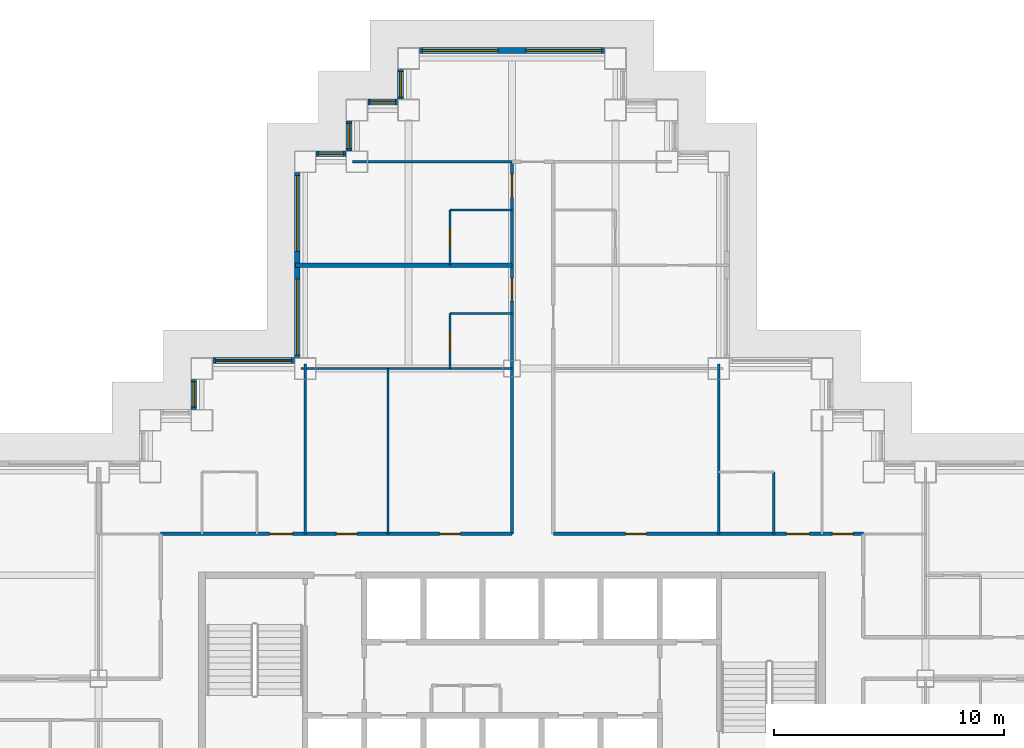
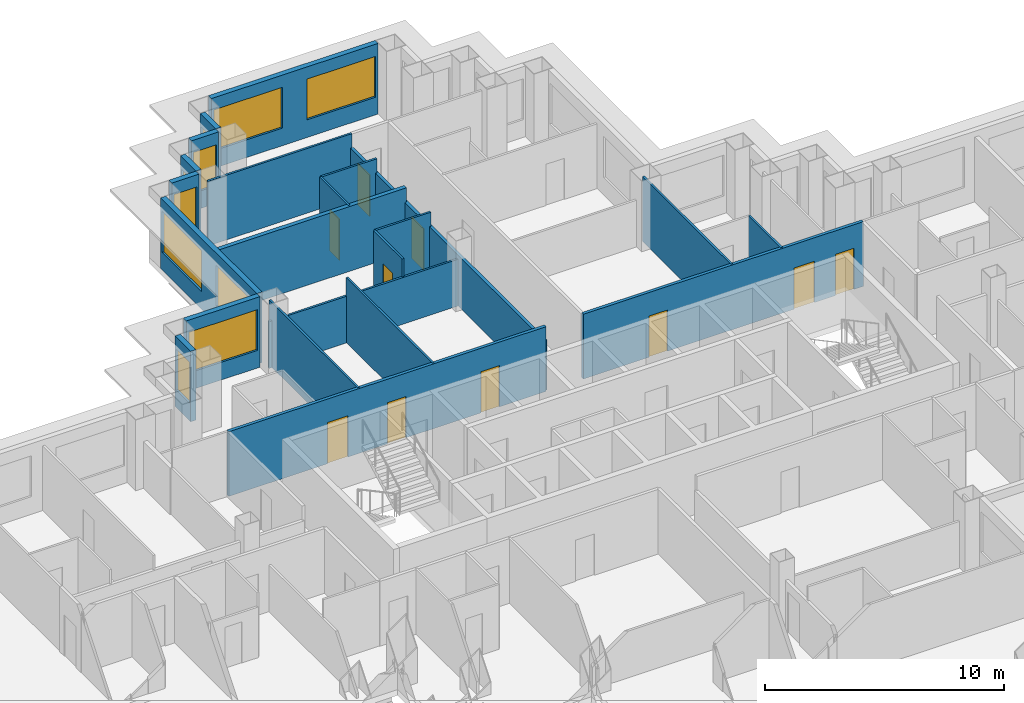
# One storey, part 8 of 15: 22 walls, 10 doors, 10 windows, 20 openings.
"""IFC4 building model written with IfcOpenShell, lengths in metres."""

import ifcopenshell
import ifcopenshell.guid

model = None  # the IFC model being written
_history = None  # IfcOwnerHistory: only IFC2X3 demands one
_inside = {}  # id of a spatial element -> (the spatial element, [elements in it])
_under = {}  # id of a project, library or spatial element -> (it, [spatial elements below it])
_declared = {}  # id of a project -> (the project, [libraries it declares])
_typed = {}  # id of a type object -> (the type object, [elements of that type])
_made_of = {}  # id of a material, layer set ... -> (it, [elements and type objects made of it])


def new_model(schema):
    """Start an empty IFC model of exactly this schema.

    Asked for "IFC4X3", IfcOpenShell would pick the latest addendum, in which some entities
    have other attributes; the version numbers below select the first issue.
    IFC2X3 requires an IfcOwnerHistory on every rooted entity: one is made here for all.
    """
    global model, _history
    if schema == "IFC4X3":
        model = ifcopenshell.file(schema_version=(4, 3, 0, 0))
    else:
        model = ifcopenshell.file(schema=schema)
    _inside.clear()
    _under.clear()
    _declared.clear()
    _typed.clear()
    _made_of.clear()
    _history = None
    if model.schema == "IFC2X3":
        org = make("IfcOrganization", Name="unknown")
        user = make(
            "IfcPersonAndOrganization",
            ThePerson=make("IfcPerson", FamilyName="unknown"),
            TheOrganization=org,
        )
        app = make(
            "IfcApplication",
            ApplicationDeveloper=org,
            Version="unknown",
            ApplicationFullName="unknown",
            ApplicationIdentifier="unknown",
        )
        _history = make(
            "IfcOwnerHistory",
            OwningUser=user,
            OwningApplication=app,
            ChangeAction="ADDED",
            CreationDate=0,
        )
    return model


def make(cls, **values):
    """One entity of the class cls with the attributes given. An attribute that is None is left unset."""
    return model.create_entity(
        cls, **{name: value for name, value in values.items() if value is not None}
    )


def rooted(cls, **values):
    """An entity with a GlobalId (a new one), such as an element, a storey or a relation."""
    return make(cls, GlobalId=ifcopenshell.guid.new(), OwnerHistory=_history, **values)


def si_unit(unit_type, name, prefix=None):
    """IfcSIUnit, for example si_unit("LENGTHUNIT", "METRE", prefix="MILLI")."""
    return make("IfcSIUnit", UnitType=unit_type, Prefix=prefix, Name=name)


def assignment(units):
    """IfcUnitAssignment: the units of a project."""
    return None if units is None else make("IfcUnitAssignment", Units=units)


def point(xyz):
    """IfcCartesianPoint."""
    return None if xyz is None else make("IfcCartesianPoint", Coordinates=xyz)


def direction(xyz):
    """IfcDirection."""
    return None if xyz is None else make("IfcDirection", DirectionRatios=xyz)


def frame(location, z_axis=None, x_axis=None):
    """IfcAxis2Placement3D, a coordinate frame: its origin and axes. An axis left out is left unset."""
    return make(
        "IfcAxis2Placement3D",
        Location=point(location),
        Axis=direction(z_axis),
        RefDirection=direction(x_axis),
    )


def frame_2d(location, x_axis=None):
    """IfcAxis2Placement2D, a coordinate frame in the plane: its origin and x axis."""
    return make(
        "IfcAxis2Placement2D", Location=point(location), RefDirection=direction(x_axis)
    )


def origin():
    """The frame at (0, 0, 0) with its axes left unset."""
    return frame((0.0, 0.0, 0.0))


def place(relative_to, where):
    """IfcLocalPlacement: puts the frame where relative to a parent placement (None: the world)."""
    return make(
        "IfcLocalPlacement", PlacementRelTo=relative_to, RelativePlacement=where
    )


def context(
    kind, dimensions, precision=None, world=None, true_north=None, identifier=None
):
    """IfcGeometricRepresentationContext, for example the 3D "Model" context."""
    return make(
        "IfcGeometricRepresentationContext",
        ContextIdentifier=identifier,
        ContextType=kind,
        CoordinateSpaceDimension=dimensions,
        Precision=precision,
        WorldCoordinateSystem=world,
        TrueNorth=true_north,
    )


def subcontext(parent, identifier, kind, view, scale=None):
    """IfcGeometricRepresentationSubContext, for example "Body" below "Model"."""
    return make(
        "IfcGeometricRepresentationSubContext",
        ContextIdentifier=identifier,
        ContextType=kind,
        ParentContext=parent,
        TargetScale=scale,
        TargetView=view,
    )


def project(units=None, contexts=None):
    """IfcProject with its units and contexts."""
    return rooted(
        "IfcProject",
        Name="project",
        RepresentationContexts=contexts,
        UnitsInContext=assignment(units),
    )


def spatial(cls, under=None, at=None, **own):
    """A site, building, storey or space (cls), placed at a placement, below another one or the project."""
    s = rooted(cls, ObjectPlacement=at, **own)
    if under is not None:
        _under.setdefault(under.id(), (under, []))[1].append(s)
    return s


def profile(cls, at=None, kind="AREA", **sizes):
    """A parametric profile (cls). Its sizes go by their IFC names, for example OverallWidth=200.0."""
    return make(cls, ProfileType=kind, Position=at, **sizes)


def rectangle(**sizes):
    """IfcRectangleProfileDef."""
    return profile("IfcRectangleProfileDef", **sizes)


def extrude(swept, where, along, depth):
    """IfcExtrudedAreaSolid: the profile swept, set in the frame where, extruded along a direction by depth."""
    return make(
        "IfcExtrudedAreaSolid",
        SweptArea=swept,
        Position=where,
        ExtrudedDirection=direction(along),
        Depth=depth,
    )


def shape(context_of_items, identifier, shape_type, items):
    """IfcShapeRepresentation: the items that make up one representation, for example the "Body"."""
    return make(
        "IfcShapeRepresentation",
        ContextOfItems=context_of_items,
        RepresentationIdentifier=identifier,
        RepresentationType=shape_type,
        Items=items,
    )


def material(Name=None, Category=None):
    """IfcMaterial."""
    return make("IfcMaterial", Name=Name, Category=Category)


def layer(
    of_material, thickness, ventilated=None, Name=None, Category=None, Priority=None
):
    """IfcMaterialLayer: one layer of a wall or slab, of a material (None: an air gap)."""
    return make(
        "IfcMaterialLayer",
        Material=of_material,
        LayerThickness=thickness,
        IsVentilated=ventilated,
        Name=Name,
        Category=Category,
        Priority=Priority,
    )


def layer_set(layers, Name=None):
    """IfcMaterialLayerSet."""
    return make("IfcMaterialLayerSet", MaterialLayers=layers, LayerSetName=Name)


def made_of(thing, what):
    """Note that an element or type object is made of a material, layer set ...; save() writes the relation."""
    if what is not None:
        _made_of.setdefault(what.id(), (what, []))[1].append(thing)
    return thing


def type_object(cls, material=None, **own):
    """A type object (cls), such as IfcWallType, which elements share."""
    return made_of(rooted(cls, **own), material)


def element(
    cls,
    number,
    at=None,
    inside=None,
    cuts=None,
    type_object=None,
    material=None,
    context=None,
    identifier="Body",
    shape_type=None,
    held_by="IfcProductDefinitionShape",
    body=None,
    shapes=None,
    **own,
):
    """One element of the class cls, such as IfcWall. Its Tag is "e" and its number.

    at: its placement. inside: the storey or other place that contains it. cuts: it is an
    opening in that element (IfcRelVoidsElement). A single representation is given by context,
    identifier, shape_type and body (its items); several are given by shapes. held_by: the class
    of the entity that holds the representations. save() writes the other relations.
    """
    e = rooted(cls, Tag="e%d" % number, ObjectPlacement=at, **own)
    if body is not None:
        shapes = [shape(context, identifier, shape_type, body)]
    if shapes is not None:
        e.Representation = make(held_by, Representations=shapes)
    if inside is not None:
        _inside.setdefault(inside.id(), (inside, []))[1].append(e)
    if cuts is not None:
        rooted(
            "IfcRelVoidsElement", RelatingBuildingElement=cuts, RelatedOpeningElement=e
        )
    if type_object is not None:
        _typed.setdefault(type_object.id(), (type_object, []))[1].append(e)
    return made_of(e, material)


def fill(opening, filler):
    """IfcRelFillsElement: the door or window that sits in an opening."""
    return rooted(
        "IfcRelFillsElement",
        RelatingOpeningElement=opening,
        RelatedBuildingElement=filler,
    )


def aggregate(whole, parts):
    """IfcRelAggregates: a whole, such as a stair, and the parts it consists of."""
    return rooted("IfcRelAggregates", RelatingObject=whole, RelatedObjects=parts)


def save(model, path):
    """Write the relations noted so far, then the file.

    IfcRelAggregates (storeys below a building ...), IfcRelContainedInSpatialStructure (elements
    in a storey), IfcRelDefinesByType, IfcRelAssociatesMaterial and IfcRelDeclares: one each for
    every whole, place, type object, material and project.
    """
    for whole, parts in _under.values():
        aggregate(whole, parts)
    for where, things in _inside.values():
        rooted(
            "IfcRelContainedInSpatialStructure",
            RelatedElements=things,
            RelatingStructure=where,
        )
    for kind, things in _typed.values():
        rooted("IfcRelDefinesByType", RelatedObjects=things, RelatingType=kind)
    for what, things in _made_of.values():
        rooted("IfcRelAssociatesMaterial", RelatedObjects=things, RelatingMaterial=what)
    for by, libraries in _declared.values():
        rooted("IfcRelDeclares", RelatingContext=by, RelatedDefinitions=libraries)
    model.write(path)


model = new_model("IFC4")

# Units and contexts
model_context = context("Model", 3, precision=1e-05, world=origin(), true_north=direction((0.0, 1.0)))
body_context = subcontext(model_context, "Body", "Model", "MODEL_VIEW")
ifc_project = project(units=[si_unit("LENGTHUNIT", "METRE"), si_unit("AREAUNIT", "SQUARE_METRE"), si_unit("VOLUMEUNIT", "CUBIC_METRE"), si_unit("PLANEANGLEUNIT", "RADIAN"), si_unit("MASSUNIT", "GRAM", prefix="KILO")], contexts=[model_context])

# Site, building, storey
site_placement = place(None, origin())
site = spatial("IfcSite", under=ifc_project, at=site_placement, CompositionType="ELEMENT")
building_placement = place(site_placement, origin())
building = spatial("IfcBuilding", under=site, at=building_placement, Name="Caravel Reach Hotel and Residences", CompositionType="ELEMENT")
storey_placement = place(building_placement, frame((0.0, 0.0, 78.0)))
storey = spatial("IfcBuildingStorey", under=building, at=storey_placement, Name="L18", CompositionType="ELEMENT", Elevation=78.0)

# Walls
ifc_material_1 = material(Name="Gypsum board on steel stud", Category="steel")
ifc_layer_1 = layer(ifc_material_1, 0.10009765625)
ifc_layer_set_1 = layer_set([ifc_layer_1], Name="Bathroom pod wall 100 mm")
wall_type_1 = type_object("IfcWallType", Name="Bathroom pod wall 100 mm", PredefinedType="PARTITIONING", material=ifc_layer_set_1)
for number, where, z_axis, x_axis, name in (
    (1, (28.800048828125, 42.89990234375, 0.0), (0.0, 0.0, 1.0), (1.0, 0.0, 0.0), "L18 wall w097"),
    (2, (28.800048828125, 47.39990234375, 0.0), (0.0, 0.0, 1.0), (1.0, 0.0, 0.0), "L18 wall w098"),
):
    element("IfcWall", number, at=place(storey_placement, frame(where, z_axis=z_axis, x_axis=x_axis)), inside=storey, type_object=wall_type_1, Name=name, PredefinedType="PARTITIONING", context=body_context, shape_type="SweptSolid", body=[
        extrude(rectangle(XDim=2.699951171875, YDim=0.10009765625, at=frame_2d((1.35009765625, 0.0))), origin(), (0.0, 0.0, 1.0), 3.300048828125),
    ])

# Wall, opening, door
wall_1_placement = place(storey_placement, frame((28.800048828125, 40.5, 0.0), z_axis=(0.0, 0.0, 1.0), x_axis=(0.0, 1.0, 0.0)))
wall_1 = element("IfcWall", 3, at=wall_1_placement, inside=storey, type_object=wall_type_1, Name="L18 wall w105", PredefinedType="PARTITIONING", context=body_context, shape_type="SweptSolid", body=[
    extrude(rectangle(XDim=2.39990234375, YDim=0.10009765625, at=frame_2d((1.199951171875, 0.0))), origin(), (0.0, 0.0, 1.0), 3.300048828125),
])
opening_1_placement = place(wall_1_placement, frame((0.800048828125, 0.0, 0.0)))
opening_1 = element("IfcOpeningElement", 4, at=opening_1_placement, cuts=wall_1, Name="Opening D18-032", PredefinedType="OPENING", context=body_context, shape_type="SweptSolid", body=[
    extrude(rectangle(XDim=0.800048828125, YDim=2.10009765625, at=frame_2d((0.39990234375, 1.050048828125))), frame((0.0, 0.06005859375, 0.0), z_axis=(0.0, -1.0, 0.0), x_axis=(1.0, 0.0, 0.0)), (0.0, 0.0, 1.0), 0.1201171875),
])
ifc_material_2 = material(Name="Timber and steel door leaf", Category="steel")
door_type_1 = type_object("IfcDoorType", Name="Bathroom door 800 x 2100", OperationType="SINGLE_SWING_LEFT", PredefinedType="DOOR", material=ifc_material_2)
door_1_placement = place(opening_1_placement, origin())
door_1 = element("IfcDoor", 5, at=door_1_placement, inside=storey, type_object=door_type_1, Name="door D18-032", OperationType="SINGLE_SWING_LEFT", OverallHeight=2.10009765625, OverallWidth=0.800048828125, PredefinedType="DOOR", context=body_context, shape_type="SweptSolid", body=[
    extrude(rectangle(XDim=0.800048828125, YDim=2.10009765625, at=frame_2d((0.39990234375, 1.050048828125))), frame((0.0, 0.02490234375, 0.0), z_axis=(0.0, -1.0, 0.0), x_axis=(1.0, 0.0, 0.0)), (0.0, 0.0, 1.0), 0.050048828125),
])
fill(opening_1, door_1)

wall_2_placement = place(storey_placement, frame((28.800048828125, 45.0, 0.0), z_axis=(0.0, 0.0, 1.0), x_axis=(0.0, 1.0, 0.0)))
wall_2 = element("IfcWall", 6, at=wall_2_placement, inside=storey, type_object=wall_type_1, Name="L18 wall w106", PredefinedType="PARTITIONING", context=body_context, shape_type="SweptSolid", body=[
    extrude(rectangle(XDim=2.39990234375, YDim=0.10009765625, at=frame_2d((1.199951171875, 0.0))), origin(), (0.0, 0.0, 1.0), 3.300048828125),
])
opening_2_placement = place(wall_2_placement, frame((0.800048828125, 0.0, 0.0)))
opening_2 = element("IfcOpeningElement", 7, at=opening_2_placement, cuts=wall_2, Name="Opening D18-034", PredefinedType="OPENING", context=body_context, shape_type="SweptSolid", body=[
    extrude(rectangle(XDim=0.800048828125, YDim=2.10009765625, at=frame_2d((0.39990234375, 1.050048828125))), frame((0.0, 0.06005859375, 0.0), z_axis=(0.0, -1.0, 0.0), x_axis=(1.0, 0.0, 0.0)), (0.0, 0.0, 1.0), 0.1201171875),
])
door_2_placement = place(opening_2_placement, origin())
door_2 = element("IfcDoor", 8, at=door_2_placement, inside=storey, type_object=door_type_1, Name="door D18-034", OperationType="SINGLE_SWING_LEFT", OverallHeight=2.10009765625, OverallWidth=0.800048828125, PredefinedType="DOOR", context=body_context, shape_type="SweptSolid", body=[
    extrude(rectangle(XDim=0.800048828125, YDim=2.10009765625, at=frame_2d((0.39990234375, 1.050048828125))), frame((0.0, 0.02490234375, 0.0), z_axis=(0.0, -1.0, 0.0), x_axis=(1.0, 0.0, 0.0)), (0.0, 0.0, 1.0), 0.050048828125),
])
fill(opening_2, door_2)

# Wall
wall_3_placement = place(storey_placement, frame((42.89990234375, 33.300048828125, 0.0), z_axis=(0.0, 0.0, 1.0), x_axis=(0.0, 1.0, 0.0)))
element("IfcWall", 9, at=wall_3_placement, inside=storey, type_object=wall_type_1, Name="L18 wall w109", PredefinedType="PARTITIONING", context=body_context, shape_type="SweptSolid", body=[
    extrude(rectangle(XDim=2.699951171875, YDim=0.10009765625, at=frame_2d((1.35009765625, 0.0))), origin(), (0.0, 0.0, 1.0), 3.300048828125),
])

# Wall, openings, doors
ifc_material_3 = material(Name="Gypsum board on steel stud, fire-rated", Category="steel")
ifc_layer_2 = layer(ifc_material_3, 0.14990234375)
ifc_layer_set_2 = layer_set([ifc_layer_2], Name="Corridor wall 150 mm EI 60")
wall_type_2 = type_object("IfcWallType", Name="Corridor wall 150 mm EI 60", PredefinedType="PARTITIONING", material=ifc_layer_set_2)
wall_4_placement = place(storey_placement, frame((16.199951171875, 33.300048828125, 0.0), z_axis=(0.0, 0.0, 1.0), x_axis=(1.0, 0.0, 0.0)))
wall_4 = element("IfcWall", 10, at=wall_4_placement, inside=storey, type_object=wall_type_2, Name="L18 wall w019", PredefinedType="PARTITIONING", context=body_context, shape_type="SweptSolid", body=[
    extrude(rectangle(XDim=15.300048828125, YDim=0.14990234375, at=frame_2d((7.64990234375, 0.0))), origin(), (0.0, 0.0, 1.0), 3.300048828125),
])
opening_3_placement = place(wall_4_placement, frame((4.75, 0.0, 0.0)))
opening_3 = element("IfcOpeningElement", 11, at=opening_3_placement, cuts=wall_4, Name="Opening D18-047", PredefinedType="OPENING", context=body_context, shape_type="SweptSolid", body=[
    extrude(rectangle(XDim=1.0, YDim=2.10009765625, at=frame_2d((0.5, 1.050048828125))), frame((0.0, 0.0849609375, 0.0), z_axis=(0.0, -1.0, 0.0), x_axis=(1.0, 0.0, 0.0)), (0.0, 0.0, 1.0), 0.169921875),
])
opening_4_placement = place(wall_4_placement, frame((7.650146484375, 0.0, 0.0)))
opening_4 = element("IfcOpeningElement", 12, at=opening_4_placement, cuts=wall_4, Name="Opening D18-058", PredefinedType="OPENING", context=body_context, shape_type="SweptSolid", body=[
    extrude(rectangle(XDim=0.89990234375, YDim=2.10009765625, at=frame_2d((0.449951171875, 1.050048828125))), frame((0.0, 0.0849609375, 0.0), z_axis=(0.0, -1.0, 0.0), x_axis=(1.0, 0.0, 0.0)), (0.0, 0.0, 1.0), 0.169921875),
])
opening_5_placement = place(wall_4_placement, frame((12.14990234375, 0.0, 0.0)))
opening_5 = element("IfcOpeningElement", 13, at=opening_5_placement, cuts=wall_4, Name="Opening D18-059", PredefinedType="OPENING", context=body_context, shape_type="SweptSolid", body=[
    extrude(rectangle(XDim=0.89990234375, YDim=2.10009765625, at=frame_2d((0.449951171875, 1.050048828125))), frame((0.0, 0.0849609375, 0.0), z_axis=(0.0, -1.0, 0.0), x_axis=(1.0, 0.0, 0.0)), (0.0, 0.0, 1.0), 0.169921875),
])
ifc_material_4 = material(Name="Timber and steel door leaf", Category="steel")
door_type_2 = type_object("IfcDoorType", Name="Door 900 x 2100 timber", OperationType="SINGLE_SWING_LEFT", PredefinedType="DOOR", material=ifc_material_4)
door_3_placement = place(opening_4_placement, origin())
door_3 = element("IfcDoor", 14, at=door_3_placement, inside=storey, type_object=door_type_2, Name="door D18-058", OperationType="SINGLE_SWING_RIGHT", OverallHeight=2.10009765625, OverallWidth=0.89990234375, PredefinedType="DOOR", context=body_context, shape_type="SweptSolid", body=[
    extrude(rectangle(XDim=0.89990234375, YDim=2.10009765625, at=frame_2d((0.449951171875, 1.050048828125))), frame((0.0, 0.02490234375, 0.0), z_axis=(0.0, -1.0, 0.0), x_axis=(1.0, 0.0, 0.0)), (0.0, 0.0, 1.0), 0.050048828125),
])
fill(opening_4, door_3)
door_4_placement = place(opening_5_placement, origin())
door_4 = element("IfcDoor", 15, at=door_4_placement, inside=storey, type_object=door_type_2, Name="door D18-059", OperationType="SINGLE_SWING_LEFT", OverallHeight=2.10009765625, OverallWidth=0.89990234375, PredefinedType="DOOR", context=body_context, shape_type="SweptSolid", body=[
    extrude(rectangle(XDim=0.89990234375, YDim=2.10009765625, at=frame_2d((0.449951171875, 1.050048828125))), frame((0.0, 0.02490234375, 0.0), z_axis=(0.0, -1.0, 0.0), x_axis=(1.0, 0.0, 0.0)), (0.0, 0.0, 1.0), 0.050048828125),
])
fill(opening_5, door_4)
ifc_material_5 = material(Name="Steel fire door leaf", Category="steel")
door_type_3 = type_object("IfcDoorType", Name="Guest room door 1000 x 2100 EI 30", OperationType="SINGLE_SWING_LEFT", PredefinedType="DOOR", material=ifc_material_5)
door_5_placement = place(opening_3_placement, origin())
door_5 = element("IfcDoor", 16, at=door_5_placement, inside=storey, type_object=door_type_3, Name="door D18-047", OperationType="SINGLE_SWING_RIGHT", OverallHeight=2.10009765625, OverallWidth=1.0, PredefinedType="DOOR", context=body_context, shape_type="SweptSolid", body=[
    extrude(rectangle(XDim=1.0, YDim=2.10009765625, at=frame_2d((0.5, 1.050048828125))), frame((0.0, 0.02490234375, 0.0), z_axis=(0.0, -1.0, 0.0), x_axis=(1.0, 0.0, 0.0)), (0.0, 0.0, 1.0), 0.050048828125),
])
fill(opening_3, door_5)

wall_5_placement = place(storey_placement, frame((33.300048828125, 33.300048828125, 0.0), z_axis=(0.0, 0.0, 1.0), x_axis=(1.0, 0.0, 0.0)))
wall_5 = element("IfcWall", 17, at=wall_5_placement, inside=storey, type_object=wall_type_2, Name="L18 wall w023", PredefinedType="PARTITIONING", context=body_context, shape_type="SweptSolid", body=[
    extrude(rectangle(XDim=13.5, YDim=0.14990234375, at=frame_2d((6.75, 0.0))), origin(), (0.0, 0.0, 1.0), 3.300048828125),
])
opening_6_placement = place(wall_5_placement, frame((10.14990234375, 0.0, 0.0)))
opening_6 = element("IfcOpeningElement", 18, at=opening_6_placement, cuts=wall_5, Name="Opening D18-049", PredefinedType="OPENING", context=body_context, shape_type="SweptSolid", body=[
    extrude(rectangle(XDim=1.0, YDim=2.10009765625, at=frame_2d((0.5, 1.050048828125))), frame((0.0, 0.0849609375, 0.0), z_axis=(0.0, -1.0, 0.0), x_axis=(1.0, 0.0, 0.0)), (0.0, 0.0, 1.0), 0.169921875),
])
opening_7_placement = place(wall_5_placement, frame((12.14990234375, 0.0, 0.0)))
opening_7 = element("IfcOpeningElement", 19, at=opening_7_placement, cuts=wall_5, Name="Opening D18-051", PredefinedType="OPENING", context=body_context, shape_type="SweptSolid", body=[
    extrude(rectangle(XDim=0.89990234375, YDim=2.10009765625, at=frame_2d((0.449951171875, 1.050048828125))), frame((0.0, 0.0849609375, 0.0), z_axis=(0.0, -1.0, 0.0), x_axis=(1.0, 0.0, 0.0)), (0.0, 0.0, 1.0), 0.169921875),
])
opening_8_placement = place(wall_5_placement, frame((3.14990234375, 0.0, 0.0)))
opening_8 = element("IfcOpeningElement", 20, at=opening_8_placement, cuts=wall_5, Name="Opening D18-060", PredefinedType="OPENING", context=body_context, shape_type="SweptSolid", body=[
    extrude(rectangle(XDim=0.89990234375, YDim=2.10009765625, at=frame_2d((0.449951171875, 1.050048828125))), frame((0.0, 0.0849609375, 0.0), z_axis=(0.0, -1.0, 0.0), x_axis=(1.0, 0.0, 0.0)), (0.0, 0.0, 1.0), 0.169921875),
])
door_6_placement = place(opening_7_placement, origin())
door_6 = element("IfcDoor", 21, at=door_6_placement, inside=storey, type_object=door_type_2, Name="door D18-051", OperationType="SINGLE_SWING_LEFT", OverallHeight=2.10009765625, OverallWidth=0.89990234375, PredefinedType="DOOR", context=body_context, shape_type="SweptSolid", body=[
    extrude(rectangle(XDim=0.89990234375, YDim=2.10009765625, at=frame_2d((0.449951171875, 1.050048828125))), frame((0.0, 0.02490234375, 0.0), z_axis=(0.0, -1.0, 0.0), x_axis=(1.0, 0.0, 0.0)), (0.0, 0.0, 1.0), 0.050048828125),
])
fill(opening_7, door_6)
door_7_placement = place(opening_8_placement, origin())
door_7 = element("IfcDoor", 22, at=door_7_placement, inside=storey, type_object=door_type_2, Name="door D18-060", OperationType="SINGLE_SWING_LEFT", OverallHeight=2.10009765625, OverallWidth=0.89990234375, PredefinedType="DOOR", context=body_context, shape_type="SweptSolid", body=[
    extrude(rectangle(XDim=0.89990234375, YDim=2.10009765625, at=frame_2d((0.449951171875, 1.050048828125))), frame((0.0, 0.02490234375, 0.0), z_axis=(0.0, -1.0, 0.0), x_axis=(1.0, 0.0, 0.0)), (0.0, 0.0, 1.0), 0.050048828125),
])
fill(opening_8, door_7)
door_8_placement = place(opening_6_placement, origin())
door_8 = element("IfcDoor", 23, at=door_8_placement, inside=storey, type_object=door_type_3, Name="door D18-049", OperationType="SINGLE_SWING_RIGHT", OverallHeight=2.10009765625, OverallWidth=1.0, PredefinedType="DOOR", context=body_context, shape_type="SweptSolid", body=[
    extrude(rectangle(XDim=1.0, YDim=2.10009765625, at=frame_2d((0.5, 1.050048828125))), frame((0.0, 0.02490234375, 0.0), z_axis=(0.0, -1.0, 0.0), x_axis=(1.0, 0.0, 0.0)), (0.0, 0.0, 1.0), 0.050048828125),
])
fill(opening_6, door_8)

wall_6_placement = place(storey_placement, frame((31.5, 33.300048828125, 0.0), z_axis=(0.0, 0.0, 1.0), x_axis=(0.0, 1.0, 0.0)))
wall_6 = element("IfcWall", 24, at=wall_6_placement, inside=storey, type_object=wall_type_2, Name="L18 wall w034", PredefinedType="PARTITIONING", context=body_context, shape_type="SweptSolid", body=[
    extrude(rectangle(XDim=16.199951171875, YDim=0.14990234375, at=frame_2d((8.10009765625, 0.0))), origin(), (0.0, 0.0, 1.0), 2.580078125),
])
opening_9_placement = place(wall_6_placement, frame((10.14990234375, 0.0, 0.0)))
opening_9 = element("IfcOpeningElement", 25, at=opening_9_placement, cuts=wall_6, Name="Opening D18-031", PredefinedType="OPENING", context=body_context, shape_type="SweptSolid", body=[
    extrude(rectangle(XDim=1.0, YDim=2.10009765625, at=frame_2d((0.5, 1.050048828125))), frame((0.0, 0.0849609375, 0.0), z_axis=(0.0, -1.0, 0.0), x_axis=(1.0, 0.0, 0.0)), (0.0, 0.0, 1.0), 0.169921875),
])
opening_10_placement = place(wall_6_placement, frame((14.64990234375, 0.0, 0.0)))
opening_10 = element("IfcOpeningElement", 26, at=opening_10_placement, cuts=wall_6, Name="Opening D18-033", PredefinedType="OPENING", context=body_context, shape_type="SweptSolid", body=[
    extrude(rectangle(XDim=1.0, YDim=2.10009765625, at=frame_2d((0.5, 1.050048828125))), frame((0.0, 0.0849609375, 0.0), z_axis=(0.0, -1.0, 0.0), x_axis=(1.0, 0.0, 0.0)), (0.0, 0.0, 1.0), 0.169921875),
])
door_9_placement = place(opening_9_placement, origin())
door_9 = element("IfcDoor", 27, at=door_9_placement, inside=storey, type_object=door_type_3, Name="door D18-031", OperationType="SINGLE_SWING_RIGHT", OverallHeight=2.10009765625, OverallWidth=1.0, PredefinedType="DOOR", context=body_context, shape_type="SweptSolid", body=[
    extrude(rectangle(XDim=1.0, YDim=2.10009765625, at=frame_2d((0.5, 1.050048828125))), frame((0.0, 0.02490234375, 0.0), z_axis=(0.0, -1.0, 0.0), x_axis=(1.0, 0.0, 0.0)), (0.0, 0.0, 1.0), 0.050048828125),
])
fill(opening_9, door_9)
door_10_placement = place(opening_10_placement, origin())
door_10 = element("IfcDoor", 28, at=door_10_placement, inside=storey, type_object=door_type_3, Name="door D18-033", OperationType="SINGLE_SWING_RIGHT", OverallHeight=2.10009765625, OverallWidth=1.0, PredefinedType="DOOR", context=body_context, shape_type="SweptSolid", body=[
    extrude(rectangle(XDim=1.0, YDim=2.10009765625, at=frame_2d((0.5, 1.050048828125))), frame((0.0, 0.02490234375, 0.0), z_axis=(0.0, -1.0, 0.0), x_axis=(1.0, 0.0, 0.0)), (0.0, 0.0, 1.0), 0.050048828125),
])
fill(opening_10, door_10)

# Wall, openings, windows
ifc_material_6 = material(Name="Insulated rainscreen wall, aluminium cladding", Category="aluminium")
ifc_layer_3 = layer(ifc_material_6, 0.25)
ifc_layer_set_3 = layer_set([ifc_layer_3], Name="EW1 Tower rainscreen wall")
wall_type_3 = type_object("IfcWallType", Name="EW1 Tower rainscreen wall", PredefinedType="SOLIDWALL", material=ifc_layer_set_3)
wall_7_placement = place(storey_placement, frame((35.52490234375, 54.35009765625, 0.0), z_axis=(0.0, 0.0, 1.0), x_axis=(-1.0, 0.0, 0.0)))
wall_7 = element("IfcWall", 29, at=wall_7_placement, inside=storey, type_object=wall_type_3, Name="External wall L18 N35.1", PredefinedType="SOLIDWALL", context=body_context, shape_type="SweptSolid", body=[
    extrude(rectangle(XDim=8.0498046875, YDim=0.25, at=frame_2d((4.02490234375, 0.0))), origin(), (0.0, 0.0, 1.0), 3.60009765625),
])
opening_11_placement = place(wall_7_placement, frame((0.125, 0.0, 0.89990234375)))
opening_11 = element("IfcOpeningElement", 30, at=opening_11_placement, cuts=wall_7, Name="Opening WN4", PredefinedType="OPENING", context=body_context, shape_type="SweptSolid", body=[
    extrude(rectangle(XDim=3.300048828125, YDim=2.080078125, at=frame_2d((1.64990234375, 1.0400390625))), frame((0.0, 0.135009765625, 0.0), z_axis=(0.0, -1.0, 0.0), x_axis=(1.0, 0.0, 0.0)), (0.0, 0.0, 1.0), 0.27001953125),
])
opening_12_placement = place(wall_7_placement, frame((4.625, 0.0, 0.89990234375)))
opening_12 = element("IfcOpeningElement", 31, at=opening_12_placement, cuts=wall_7, Name="Opening WN4", PredefinedType="OPENING", context=body_context, shape_type="SweptSolid", body=[
    extrude(rectangle(XDim=3.300048828125, YDim=2.080078125, at=frame_2d((1.64990234375, 1.0400390625))), frame((0.0, 0.135009765625, 0.0), z_axis=(0.0, -1.0, 0.0), x_axis=(1.0, 0.0, 0.0)), (0.0, 0.0, 1.0), 0.27001953125),
])
ifc_material_7 = material(Name="Dark low-e glazing in black aluminium frame", Category="aluminium")
window_type_1 = type_object("IfcWindowType", Name="Hotel guest room window 3300 x 2080", PartitioningType="SINGLE_PANEL", PredefinedType="WINDOW", material=ifc_material_7)
window_1_placement = place(opening_11_placement, origin())
window_1 = element("IfcWindow", 32, at=window_1_placement, inside=storey, type_object=window_type_1, Name="Window L18 N35.1.1", OverallHeight=2.080078125, OverallWidth=3.300048828125, PartitioningType="SINGLE_PANEL", PredefinedType="WINDOW", context=body_context, shape_type="SweptSolid", body=[
    extrude(rectangle(XDim=3.300048828125, YDim=2.080078125, at=frame_2d((1.64990234375, 1.0400390625))), frame((0.0, 0.030029296875, 0.0), z_axis=(0.0, -1.0, 0.0), x_axis=(1.0, 0.0, 0.0)), (0.0, 0.0, 1.0), 0.06005859375),
])
fill(opening_11, window_1)
window_2_placement = place(opening_12_placement, origin())
window_2 = element("IfcWindow", 33, at=window_2_placement, inside=storey, type_object=window_type_1, Name="Window L18 N35.1.2", OverallHeight=2.080078125, OverallWidth=3.300048828125, PartitioningType="SINGLE_PANEL", PredefinedType="WINDOW", context=body_context, shape_type="SweptSolid", body=[
    extrude(rectangle(XDim=3.300048828125, YDim=2.080078125, at=frame_2d((1.64990234375, 1.0400390625))), frame((0.0, 0.030029296875, 0.0), z_axis=(0.0, -1.0, 0.0), x_axis=(1.0, 0.0, 0.0)), (0.0, 0.0, 1.0), 0.06005859375),
])
fill(opening_12, window_2)

# Wall, opening, window
wall_8_placement = place(storey_placement, frame((26.64990234375, 53.52490234375, 0.0), z_axis=(0.0, 0.0, 1.0), x_axis=(0.0, -1.0, 0.0)))
wall_8 = element("IfcWall", 34, at=wall_8_placement, inside=storey, type_object=wall_type_3, Name="External wall L18 W36.1", PredefinedType="SOLIDWALL", context=body_context, shape_type="SweptSolid", body=[
    extrude(rectangle(XDim=1.2998046875, YDim=0.25, at=frame_2d((0.64990234375, 0.0))), origin(), (0.0, 0.0, 1.0), 3.60009765625),
])
opening_13_placement = place(wall_8_placement, frame((0.10009765625, 0.0, 0.89990234375)))
opening_13 = element("IfcOpeningElement", 35, at=opening_13_placement, cuts=wall_8, Name="Opening WN5", PredefinedType="OPENING", context=body_context, shape_type="SweptSolid", body=[
    extrude(rectangle(XDim=1.10009765625, YDim=2.080078125, at=frame_2d((0.550048828125, 1.0400390625))), frame((0.0, 0.135009765625, 0.0), z_axis=(0.0, -1.0, 0.0), x_axis=(1.0, 0.0, 0.0)), (0.0, 0.0, 1.0), 0.27001953125),
])
ifc_material_8 = material(Name="Dark low-e glazing in black aluminium frame", Category="aluminium")
window_type_2 = type_object("IfcWindowType", Name="Hotel suite corner window 1100 x 2080", PartitioningType="SINGLE_PANEL", PredefinedType="WINDOW", material=ifc_material_8)
window_3_placement = place(opening_13_placement, origin())
window_3 = element("IfcWindow", 36, at=window_3_placement, inside=storey, type_object=window_type_2, Name="Window L18 W36.1.1", OverallHeight=2.080078125, OverallWidth=1.10009765625, PartitioningType="SINGLE_PANEL", PredefinedType="WINDOW", context=body_context, shape_type="SweptSolid", body=[
    extrude(rectangle(XDim=1.10009765625, YDim=2.080078125, at=frame_2d((0.550048828125, 1.0400390625))), frame((0.0, 0.030029296875, 0.0), z_axis=(0.0, -1.0, 0.0), x_axis=(1.0, 0.0, 0.0)), (0.0, 0.0, 1.0), 0.06005859375),
])
fill(opening_13, window_3)

wall_9_placement = place(storey_placement, frame((26.52490234375, 52.10009765625, 0.0), z_axis=(0.0, 0.0, 1.0), x_axis=(-1.0, 0.0, 0.0)))
wall_9 = element("IfcWall", 37, at=wall_9_placement, inside=storey, type_object=wall_type_3, Name="External wall L18 N37.1", PredefinedType="SOLIDWALL", context=body_context, shape_type="SweptSolid", body=[
    extrude(rectangle(XDim=1.2998046875, YDim=0.25, at=frame_2d((0.64990234375, 0.0))), origin(), (0.0, 0.0, 1.0), 3.60009765625),
])
opening_14_placement = place(wall_9_placement, frame((0.10009765625, 0.0, 0.89990234375)))
opening_14 = element("IfcOpeningElement", 38, at=opening_14_placement, cuts=wall_9, Name="Opening WN5", PredefinedType="OPENING", context=body_context, shape_type="SweptSolid", body=[
    extrude(rectangle(XDim=1.10009765625, YDim=2.080078125, at=frame_2d((0.550048828125, 1.0400390625))), frame((0.0, 0.135009765625, 0.0), z_axis=(0.0, -1.0, 0.0), x_axis=(1.0, 0.0, 0.0)), (0.0, 0.0, 1.0), 0.27001953125),
])
window_4_placement = place(opening_14_placement, origin())
window_4 = element("IfcWindow", 39, at=window_4_placement, inside=storey, type_object=window_type_2, Name="Window L18 N37.1.1", OverallHeight=2.080078125, OverallWidth=1.10009765625, PartitioningType="SINGLE_PANEL", PredefinedType="WINDOW", context=body_context, shape_type="SweptSolid", body=[
    extrude(rectangle(XDim=1.10009765625, YDim=2.080078125, at=frame_2d((0.550048828125, 1.0400390625))), frame((0.0, 0.030029296875, 0.0), z_axis=(0.0, -1.0, 0.0), x_axis=(1.0, 0.0, 0.0)), (0.0, 0.0, 1.0), 0.06005859375),
])
fill(opening_14, window_4)

wall_10_placement = place(storey_placement, frame((24.39990234375, 51.27490234375, 0.0), z_axis=(0.0, 0.0, 1.0), x_axis=(0.0, -1.0, 0.0)))
wall_10 = element("IfcWall", 40, at=wall_10_placement, inside=storey, type_object=wall_type_3, Name="External wall L18 W38.1", PredefinedType="SOLIDWALL", context=body_context, shape_type="SweptSolid", body=[
    extrude(rectangle(XDim=1.2998046875, YDim=0.25, at=frame_2d((0.64990234375, 0.0))), origin(), (0.0, 0.0, 1.0), 3.60009765625),
])
opening_15_placement = place(wall_10_placement, frame((0.10009765625, 0.0, 0.89990234375)))
opening_15 = element("IfcOpeningElement", 41, at=opening_15_placement, cuts=wall_10, Name="Opening WN5", PredefinedType="OPENING", context=body_context, shape_type="SweptSolid", body=[
    extrude(rectangle(XDim=1.10009765625, YDim=2.080078125, at=frame_2d((0.550048828125, 1.0400390625))), frame((0.0, 0.135009765625, 0.0), z_axis=(0.0, -1.0, 0.0), x_axis=(1.0, 0.0, 0.0)), (0.0, 0.0, 1.0), 0.27001953125),
])
window_5_placement = place(opening_15_placement, origin())
window_5 = element("IfcWindow", 42, at=window_5_placement, inside=storey, type_object=window_type_2, Name="Window L18 W38.1.1", OverallHeight=2.080078125, OverallWidth=1.10009765625, PartitioningType="SINGLE_PANEL", PredefinedType="WINDOW", context=body_context, shape_type="SweptSolid", body=[
    extrude(rectangle(XDim=1.10009765625, YDim=2.080078125, at=frame_2d((0.550048828125, 1.0400390625))), frame((0.0, 0.030029296875, 0.0), z_axis=(0.0, -1.0, 0.0), x_axis=(1.0, 0.0, 0.0)), (0.0, 0.0, 1.0), 0.06005859375),
])
fill(opening_15, window_5)

wall_11_placement = place(storey_placement, frame((24.27490234375, 49.85009765625, 0.0), z_axis=(0.0, 0.0, 1.0), x_axis=(-1.0, 0.0, 0.0)))
wall_11 = element("IfcWall", 43, at=wall_11_placement, inside=storey, type_object=wall_type_3, Name="External wall L18 N39.1", PredefinedType="SOLIDWALL", context=body_context, shape_type="SweptSolid", body=[
    extrude(rectangle(XDim=1.2998046875, YDim=0.25, at=frame_2d((0.64990234375, 0.0))), origin(), (0.0, 0.0, 1.0), 3.60009765625),
])
opening_16_placement = place(wall_11_placement, frame((0.10009765625, 0.0, 0.89990234375)))
opening_16 = element("IfcOpeningElement", 44, at=opening_16_placement, cuts=wall_11, Name="Opening WN5", PredefinedType="OPENING", context=body_context, shape_type="SweptSolid", body=[
    extrude(rectangle(XDim=1.10009765625, YDim=2.080078125, at=frame_2d((0.550048828125, 1.0400390625))), frame((0.0, 0.135009765625, 0.0), z_axis=(0.0, -1.0, 0.0), x_axis=(1.0, 0.0, 0.0)), (0.0, 0.0, 1.0), 0.27001953125),
])
window_6_placement = place(opening_16_placement, origin())
window_6 = element("IfcWindow", 45, at=window_6_placement, inside=storey, type_object=window_type_2, Name="Window L18 N39.1.1", OverallHeight=2.080078125, OverallWidth=1.10009765625, PartitioningType="SINGLE_PANEL", PredefinedType="WINDOW", context=body_context, shape_type="SweptSolid", body=[
    extrude(rectangle(XDim=1.10009765625, YDim=2.080078125, at=frame_2d((0.550048828125, 1.0400390625))), frame((0.0, 0.030029296875, 0.0), z_axis=(0.0, -1.0, 0.0), x_axis=(1.0, 0.0, 0.0)), (0.0, 0.0, 1.0), 0.06005859375),
])
fill(opening_16, window_6)

# Wall, openings, windows
wall_12_placement = place(storey_placement, frame((22.14990234375, 49.02490234375, 0.0), z_axis=(0.0, 0.0, 1.0), x_axis=(0.0, -1.0, 0.0)))
wall_12 = element("IfcWall", 46, at=wall_12_placement, inside=storey, type_object=wall_type_3, Name="External wall L18 W40.1", PredefinedType="SOLIDWALL", context=body_context, shape_type="SweptSolid", body=[
    extrude(rectangle(XDim=8.0498046875, YDim=0.25, at=frame_2d((4.02490234375, 0.0))), origin(), (0.0, 0.0, 1.0), 3.60009765625),
])
opening_17_placement = place(wall_12_placement, frame((0.125, 0.0, 0.89990234375)))
opening_17 = element("IfcOpeningElement", 47, at=opening_17_placement, cuts=wall_12, Name="Opening WN4", PredefinedType="OPENING", context=body_context, shape_type="SweptSolid", body=[
    extrude(rectangle(XDim=3.300048828125, YDim=2.080078125, at=frame_2d((1.64990234375, 1.0400390625))), frame((0.0, 0.135009765625, 0.0), z_axis=(0.0, -1.0, 0.0), x_axis=(1.0, 0.0, 0.0)), (0.0, 0.0, 1.0), 0.27001953125),
])
opening_18_placement = place(wall_12_placement, frame((4.625, 0.0, 0.89990234375)))
opening_18 = element("IfcOpeningElement", 48, at=opening_18_placement, cuts=wall_12, Name="Opening WN4", PredefinedType="OPENING", context=body_context, shape_type="SweptSolid", body=[
    extrude(rectangle(XDim=3.300048828125, YDim=2.080078125, at=frame_2d((1.64990234375, 1.0400390625))), frame((0.0, 0.135009765625, 0.0), z_axis=(0.0, -1.0, 0.0), x_axis=(1.0, 0.0, 0.0)), (0.0, 0.0, 1.0), 0.27001953125),
])
window_7_placement = place(opening_17_placement, origin())
window_7 = element("IfcWindow", 49, at=window_7_placement, inside=storey, type_object=window_type_1, Name="Window L18 W40.1.1", OverallHeight=2.080078125, OverallWidth=3.300048828125, PartitioningType="SINGLE_PANEL", PredefinedType="WINDOW", context=body_context, shape_type="SweptSolid", body=[
    extrude(rectangle(XDim=3.300048828125, YDim=2.080078125, at=frame_2d((1.64990234375, 1.0400390625))), frame((0.0, 0.030029296875, 0.0), z_axis=(0.0, -1.0, 0.0), x_axis=(1.0, 0.0, 0.0)), (0.0, 0.0, 1.0), 0.06005859375),
])
fill(opening_17, window_7)
window_8_placement = place(opening_18_placement, origin())
window_8 = element("IfcWindow", 50, at=window_8_placement, inside=storey, type_object=window_type_1, Name="Window L18 W40.1.2", OverallHeight=2.080078125, OverallWidth=3.300048828125, PartitioningType="SINGLE_PANEL", PredefinedType="WINDOW", context=body_context, shape_type="SweptSolid", body=[
    extrude(rectangle(XDim=3.300048828125, YDim=2.080078125, at=frame_2d((1.64990234375, 1.0400390625))), frame((0.0, 0.030029296875, 0.0), z_axis=(0.0, -1.0, 0.0), x_axis=(1.0, 0.0, 0.0)), (0.0, 0.0, 1.0), 0.06005859375),
])
fill(opening_18, window_8)

# Wall, opening, window
wall_13_placement = place(storey_placement, frame((22.02490234375, 40.85009765625, 0.0), z_axis=(0.0, 0.0, 1.0), x_axis=(-1.0, 0.0, 0.0)))
wall_13 = element("IfcWall", 51, at=wall_13_placement, inside=storey, type_object=wall_type_3, Name="External wall L18 N41.1", PredefinedType="SOLIDWALL", context=body_context, shape_type="SweptSolid", body=[
    extrude(rectangle(XDim=3.5498046875, YDim=0.25, at=frame_2d((1.77490234375, 0.0))), origin(), (0.0, 0.0, 1.0), 3.60009765625),
])
opening_19_placement = place(wall_13_placement, frame((0.125, 0.0, 0.89990234375)))
opening_19 = element("IfcOpeningElement", 52, at=opening_19_placement, cuts=wall_13, Name="Opening WN4", PredefinedType="OPENING", context=body_context, shape_type="SweptSolid", body=[
    extrude(rectangle(XDim=3.300048828125, YDim=2.080078125, at=frame_2d((1.64990234375, 1.0400390625))), frame((0.0, 0.135009765625, 0.0), z_axis=(0.0, -1.0, 0.0), x_axis=(1.0, 0.0, 0.0)), (0.0, 0.0, 1.0), 0.27001953125),
])
window_9_placement = place(opening_19_placement, origin())
window_9 = element("IfcWindow", 53, at=window_9_placement, inside=storey, type_object=window_type_1, Name="Window L18 N41.1.1", OverallHeight=2.080078125, OverallWidth=3.300048828125, PartitioningType="SINGLE_PANEL", PredefinedType="WINDOW", context=body_context, shape_type="SweptSolid", body=[
    extrude(rectangle(XDim=3.300048828125, YDim=2.080078125, at=frame_2d((1.64990234375, 1.0400390625))), frame((0.0, 0.030029296875, 0.0), z_axis=(0.0, -1.0, 0.0), x_axis=(1.0, 0.0, 0.0)), (0.0, 0.0, 1.0), 0.06005859375),
])
fill(opening_19, window_9)

wall_14_placement = place(storey_placement, frame((17.64990234375, 40.02490234375, 0.0), z_axis=(0.0, 0.0, 1.0), x_axis=(0.0, -1.0, 0.0)))
wall_14 = element("IfcWall", 54, at=wall_14_placement, inside=storey, type_object=wall_type_3, Name="External wall L18 W42.1", PredefinedType="SOLIDWALL", context=body_context, shape_type="SweptSolid", body=[
    extrude(rectangle(XDim=1.2998046875, YDim=0.25, at=frame_2d((0.64990234375, 0.0))), origin(), (0.0, 0.0, 1.0), 3.60009765625),
])
opening_20_placement = place(wall_14_placement, frame((0.10009765625, 0.0, 0.89990234375)))
opening_20 = element("IfcOpeningElement", 55, at=opening_20_placement, cuts=wall_14, Name="Opening WN5", PredefinedType="OPENING", context=body_context, shape_type="SweptSolid", body=[
    extrude(rectangle(XDim=1.10009765625, YDim=2.080078125, at=frame_2d((0.550048828125, 1.0400390625))), frame((0.0, 0.135009765625, 0.0), z_axis=(0.0, -1.0, 0.0), x_axis=(1.0, 0.0, 0.0)), (0.0, 0.0, 1.0), 0.27001953125),
])
window_10_placement = place(opening_20_placement, origin())
window_10 = element("IfcWindow", 56, at=window_10_placement, inside=storey, type_object=window_type_2, Name="Window L18 W42.1.1", OverallHeight=2.080078125, OverallWidth=1.10009765625, PartitioningType="SINGLE_PANEL", PredefinedType="WINDOW", context=body_context, shape_type="SweptSolid", body=[
    extrude(rectangle(XDim=1.10009765625, YDim=2.080078125, at=frame_2d((0.550048828125, 1.0400390625))), frame((0.0, 0.030029296875, 0.0), z_axis=(0.0, -1.0, 0.0), x_axis=(1.0, 0.0, 0.0)), (0.0, 0.0, 1.0), 0.06005859375),
])
fill(opening_20, window_10)

# Walls
ifc_material_9 = material(Name="Gypsum board on steel stud", Category="steel")
ifc_layer_4 = layer(ifc_material_9, 0.10009765625)
ifc_layer_set_4 = layer_set([ifc_layer_4], Name="Partition 100 mm")
wall_type_4 = type_object("IfcWallType", Name="Partition 100 mm", PredefinedType="PARTITIONING", material=ifc_layer_set_4)
wall_15_placement = place(storey_placement, frame((22.31005859375, 40.5, 0.0), z_axis=(0.0, 0.0, 1.0), x_axis=(1.0, 0.0, 0.0)))
element("IfcWall", 57, at=wall_15_placement, inside=storey, type_object=wall_type_4, Name="L18 wall w049", PredefinedType="PARTITIONING", context=body_context, shape_type="SweptSolid", body=[
    extrude(rectangle(XDim=9.18994140625, YDim=0.10009765625, at=frame_2d((4.594970703125, 0.0))), origin(), (0.0, 0.0, 1.0), 2.3798828125),
])
wall_16_placement = place(storey_placement, frame((24.56005859375, 49.5, 0.0), z_axis=(0.0, 0.0, 1.0), x_axis=(1.0, 0.0, 0.0)))
element("IfcWall", 58, at=wall_16_placement, inside=storey, type_object=wall_type_4, Name="L18 wall w053", PredefinedType="PARTITIONING", context=body_context, shape_type="SweptSolid", body=[
    extrude(rectangle(XDim=6.93994140625, YDim=0.10009765625, at=frame_2d((3.469970703125, 0.0))), origin(), (0.0, 0.0, 1.0), 3.300048828125),
])
wall_17_placement = place(storey_placement, frame((22.5, 33.300048828125, 0.0), z_axis=(0.0, 0.0, 1.0), x_axis=(0.0, 1.0, 0.0)))
element("IfcWall", 59, at=wall_17_placement, inside=storey, type_object=wall_type_4, Name="L18 wall w061", PredefinedType="PARTITIONING", context=body_context, shape_type="SweptSolid", body=[
    extrude(rectangle(XDim=7.389892578125, YDim=0.10009765625, at=frame_2d((3.69482421875, 0.0))), origin(), (0.0, 0.0, 1.0), 3.300048828125),
])
wall_18_placement = place(storey_placement, frame((26.10009765625, 33.300048828125, 0.0), z_axis=(0.0, 0.0, 1.0), x_axis=(0.0, 1.0, 0.0)))
element("IfcWall", 60, at=wall_18_placement, inside=storey, type_object=wall_type_4, Name="L18 wall w063", PredefinedType="PARTITIONING", context=body_context, shape_type="SweptSolid", body=[
    extrude(rectangle(XDim=7.199951171875, YDim=0.10009765625, at=frame_2d((3.60009765625, 0.0))), origin(), (0.0, 0.0, 1.0), 3.300048828125),
])
wall_19_placement = place(storey_placement, frame((40.5, 33.300048828125, 0.0), z_axis=(0.0, 0.0, 1.0), x_axis=(0.0, 1.0, 0.0)))
element("IfcWall", 61, at=wall_19_placement, inside=storey, type_object=wall_type_4, Name="L18 wall w066", PredefinedType="PARTITIONING", context=body_context, shape_type="SweptSolid", body=[
    extrude(rectangle(XDim=7.389892578125, YDim=0.10009765625, at=frame_2d((3.69482421875, 0.0))), origin(), (0.0, 0.0, 1.0), 3.300048828125),
])
ifc_material_10 = material(Name="Autoclaved aerated block wall")
ifc_layer_5 = layer(ifc_material_10, 0.199951171875)
ifc_layer_set_5 = layer_set([ifc_layer_5], Name="Party wall 200 mm EI 60")
wall_type_5 = type_object("IfcWallType", Name="Party wall 200 mm EI 60", PredefinedType="PARTITIONING", material=ifc_layer_set_5)
wall_20_placement = place(storey_placement, frame((22.0849609375, 45.0, 0.0), z_axis=(0.0, 0.0, 1.0), x_axis=(1.0, 0.0, 0.0)))
element("IfcWall", 62, at=wall_20_placement, inside=storey, type_object=wall_type_5, Name="L18 wall w075", PredefinedType="PARTITIONING", context=body_context, shape_type="SweptSolid", body=[
    extrude(rectangle(XDim=9.4150390625, YDim=0.199951171875, at=frame_2d((4.70751953125, 0.0))), origin(), (0.0, 0.0, 1.0), 3.300048828125),
])

save(model, "model.ifc")
